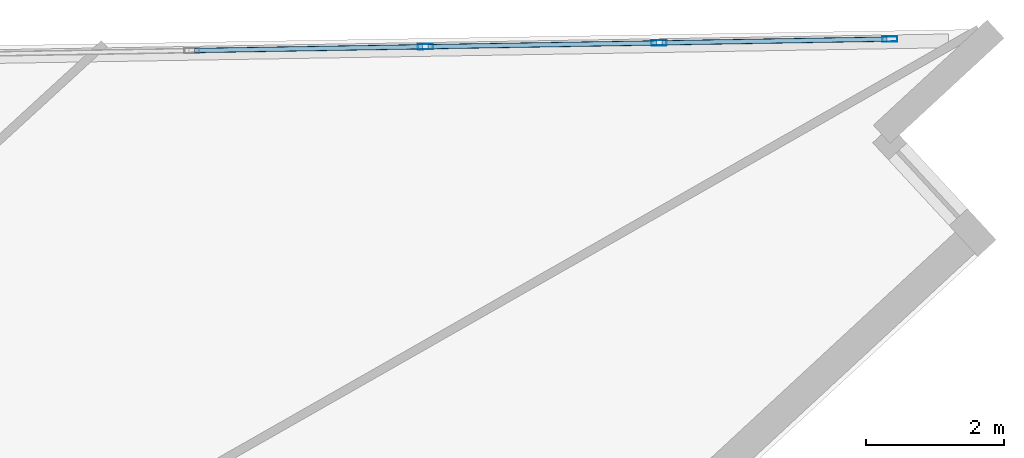
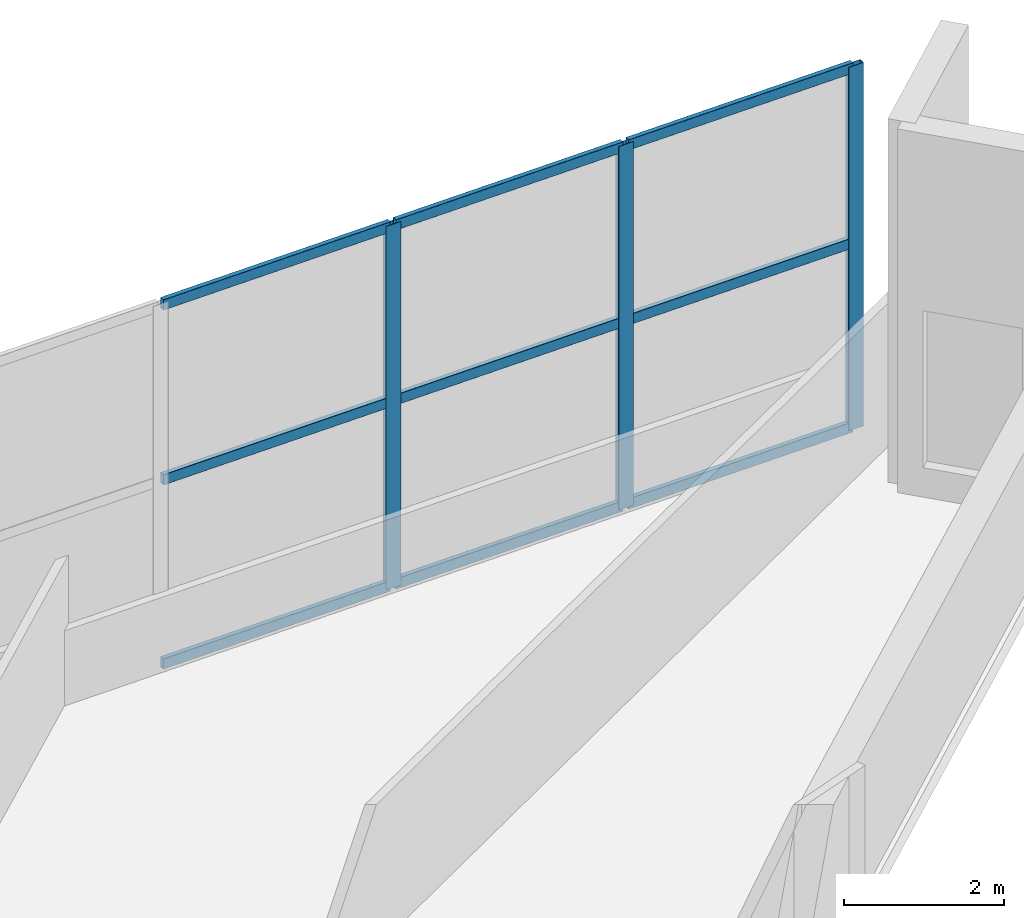
# One storey, part 7 of 15: 12 members, 1 element without a shape of its own.
"""IFC4 building model written with IfcOpenShell, lengths in metres."""

from ifc_helpers import new_model, si_unit, direction, frame, origin, origin_2d, place, context, subcontext, project, spatial, hollow_rectangle, extrude, material, material_profile, profile_set, type_object, element, aggregate, save


model = new_model("IFC4")

# Units and contexts
model_context = context("Model", 3, precision=1e-05, world=origin(), true_north=direction((0.0, 1.0)))
body_context = subcontext(model_context, "Body", "Model", "MODEL_VIEW")
ifc_project = project(units=[si_unit("LENGTHUNIT", "METRE"), si_unit("AREAUNIT", "SQUARE_METRE"), si_unit("VOLUMEUNIT", "CUBIC_METRE"), si_unit("PLANEANGLEUNIT", "RADIAN"), si_unit("MASSUNIT", "GRAM", prefix="KILO")], contexts=[model_context])

# Site, building, storey
site_placement = place(None, origin())
site = spatial("IfcSite", under=ifc_project, at=site_placement, CompositionType="ELEMENT")
building_placement = place(site_placement, origin())
building = spatial("IfcBuilding", under=site, at=building_placement, Name="Narakoshi Arena Tower", CompositionType="ELEMENT")
storey_placement = place(building_placement, frame((0.0, 0.0, 292.419921875)))
storey = spatial("IfcBuildingStorey", under=building, at=storey_placement, Name="L80", CompositionType="ELEMENT", Elevation=292.419921875)

# Curtain wall, members
ifc_material_1 = material(Name="Clear low-iron laminated structural glass", Category="glass")
curtain_wall_type = type_object("IfcCurtainWallType", Name="CW-OBS-TMD", PredefinedType="NOTDEFINED", material=ifc_material_1)
curtain_wall_placement = place(storey_placement, origin())
curtain_wall = element("IfcCurtainWall", 1, at=curtain_wall_placement, inside=storey, type_object=curtain_wall_type, Name="L80 Folded Hypotenuse Curtain Wall 1-1", PredefinedType="NOTDEFINED")
ifc_material_2 = material(Name="Anodised bronze aluminium 6063-T6", Category="aluminium")
ifc_material_profile_1 = material_profile(ifc_material_2, hollow_rectangle(XDim=0.080078125, YDim=0.219970703125, WallThickness=0.0048828125, OuterFilletRadius=0.006103515625, at=origin_2d()), Name="MUL220x80x5")
ifc_profile_set_1 = profile_set([ifc_material_profile_1], Name="Anodised bronze aluminium 6063-T6")
member_type_1 = type_object("IfcMemberType", Name="MEM-MUL-220", PredefinedType="MULLION", material=ifc_profile_set_1)
member_1_placement = place(storey_placement, frame((110.4189453125, 64.11767578125, 0.0), z_axis=(0.0, 0.0, 1.0), x_axis=(0.016444781281, -0.999864775441, 0.0)))
member_1 = element("IfcMember", 2, at=member_1_placement, type_object=member_type_1, Name="CW-05 mullion 1", PredefinedType="MULLION", context=body_context, shape_type="SweptSolid", body=[
    extrude(hollow_rectangle(XDim=0.080078125, YDim=0.219970703125, WallThickness=0.0048828125, OuterFilletRadius=0.006103515625, at=origin_2d()), origin(), (0.0, 0.0, 1.0), 5.56005859375),
])
member_2_placement = place(storey_placement, frame((107.0615234375, 64.0625, 0.0), z_axis=(0.0, 0.0, 1.0), x_axis=(0.016444781281, -0.999864775441, 0.0)))
member_2 = element("IfcMember", 3, at=member_2_placement, type_object=member_type_1, Name="CW-05 mullion 2", PredefinedType="MULLION", context=body_context, shape_type="SweptSolid", body=[
    extrude(hollow_rectangle(XDim=0.080078125, YDim=0.219970703125, WallThickness=0.0048828125, OuterFilletRadius=0.006103515625, at=origin_2d()), origin(), (0.0, 0.0, 1.0), 5.56005859375),
])
member_3_placement = place(storey_placement, frame((103.664306640625, 64.006591796875, 0.0), z_axis=(0.0, 0.0, 1.0), x_axis=(0.016444781281, -0.999864775441, 0.0)))
member_3 = element("IfcMember", 4, at=member_3_placement, type_object=member_type_1, Name="CW-05 mullion 3", PredefinedType="MULLION", context=body_context, shape_type="SweptSolid", body=[
    extrude(hollow_rectangle(XDim=0.080078125, YDim=0.219970703125, WallThickness=0.0048828125, OuterFilletRadius=0.006103515625, at=origin_2d()), origin(), (0.0, 0.0, 1.0), 5.56005859375),
])
ifc_material_profile_2 = material_profile(ifc_material_2, hollow_rectangle(XDim=0.070068359375, YDim=0.159912109375, WallThickness=0.00390625, OuterFilletRadius=0.0048828125, at=origin_2d()), Name="TRN160x70x4")
ifc_profile_set_2 = profile_set([ifc_material_profile_2], Name="Anodised bronze aluminium 6063-T6")
member_type_2 = type_object("IfcMemberType", Name="MEM-TRN-160", PredefinedType="USERDEFINED", material=ifc_profile_set_2)
member_4_placement = place(storey_placement, frame((110.37890625, 64.1171875, 0.03515625), z_axis=(-0.999864511512, -0.016460820698, 0.0), x_axis=(0.016460820698, -0.999864511512, 0.0)))
member_4 = element("IfcMember", 5, at=member_4_placement, type_object=member_type_2, Name="CW-05 transom 1.1", ObjectType="TRANSOM", PredefinedType="USERDEFINED", context=body_context, shape_type="SweptSolid", body=[
    extrude(hollow_rectangle(XDim=0.070068359375, YDim=0.159912109375, WallThickness=0.00390625, OuterFilletRadius=0.0048828125, at=origin_2d()), origin(), (0.0, 0.0, 1.0), 3.27783203125),
])
member_5_placement = place(storey_placement, frame((110.37890625, 64.1171875, 2.85009765625), z_axis=(-0.999864511512, -0.016460820698, 0.0), x_axis=(0.016460820698, -0.999864511512, 0.0)))
member_5 = element("IfcMember", 6, at=member_5_placement, type_object=member_type_2, Name="CW-05 transom 1.2", ObjectType="TRANSOM", PredefinedType="USERDEFINED", context=body_context, shape_type="SweptSolid", body=[
    extrude(hollow_rectangle(XDim=0.070068359375, YDim=0.159912109375, WallThickness=0.00390625, OuterFilletRadius=0.0048828125, at=origin_2d()), origin(), (0.0, 0.0, 1.0), 3.27783203125),
])
member_6_placement = place(storey_placement, frame((110.37890625, 64.1171875, 5.525146484375), z_axis=(-0.999864511512, -0.016460820698, 0.0), x_axis=(0.016460820698, -0.999864511512, 0.0)))
member_6 = element("IfcMember", 7, at=member_6_placement, type_object=member_type_2, Name="CW-05 transom 1.3", ObjectType="TRANSOM", PredefinedType="USERDEFINED", context=body_context, shape_type="SweptSolid", body=[
    extrude(hollow_rectangle(XDim=0.070068359375, YDim=0.159912109375, WallThickness=0.00390625, OuterFilletRadius=0.0048828125, at=origin_2d()), origin(), (0.0, 0.0, 1.0), 3.27783203125),
])
member_7_placement = place(storey_placement, frame((107.021728515625, 64.061767578125, 0.03515625), z_axis=(-0.999865357882, -0.016409329909, 0.0), x_axis=(0.016409329909, -0.999865357882, 0.0)))
member_7 = element("IfcMember", 8, at=member_7_placement, type_object=member_type_2, Name="CW-05 transom 2.1", ObjectType="TRANSOM", PredefinedType="USERDEFINED", context=body_context, shape_type="SweptSolid", body=[
    extrude(hollow_rectangle(XDim=0.070068359375, YDim=0.159912109375, WallThickness=0.00390625, OuterFilletRadius=0.0048828125, at=origin_2d()), origin(), (0.0, 0.0, 1.0), 3.31787109375),
])
member_8_placement = place(storey_placement, frame((107.021728515625, 64.061767578125, 2.85009765625), z_axis=(-0.999865357882, -0.016409329909, 0.0), x_axis=(0.016409329909, -0.999865357882, 0.0)))
member_8 = element("IfcMember", 9, at=member_8_placement, type_object=member_type_2, Name="CW-05 transom 2.2", ObjectType="TRANSOM", PredefinedType="USERDEFINED", context=body_context, shape_type="SweptSolid", body=[
    extrude(hollow_rectangle(XDim=0.070068359375, YDim=0.159912109375, WallThickness=0.00390625, OuterFilletRadius=0.0048828125, at=origin_2d()), origin(), (0.0, 0.0, 1.0), 3.31787109375),
])
member_9_placement = place(storey_placement, frame((107.021728515625, 64.061767578125, 5.525146484375), z_axis=(-0.999865357882, -0.016409329909, 0.0), x_axis=(0.016409329909, -0.999865357882, 0.0)))
member_9 = element("IfcMember", 10, at=member_9_placement, type_object=member_type_2, Name="CW-05 transom 2.3", ObjectType="TRANSOM", PredefinedType="USERDEFINED", context=body_context, shape_type="SweptSolid", body=[
    extrude(hollow_rectangle(XDim=0.070068359375, YDim=0.159912109375, WallThickness=0.00390625, OuterFilletRadius=0.0048828125, at=origin_2d()), origin(), (0.0, 0.0, 1.0), 3.31787109375),
])
member_10_placement = place(storey_placement, frame((103.624267578125, 64.006103515625, 0.03515625), z_axis=(-0.999864127874, -0.016484107209, 0.0), x_axis=(0.016484107209, -0.999864127874, 0.0)))
member_10 = element("IfcMember", 11, at=member_10_placement, type_object=member_type_2, Name="CW-05 transom 3.1", ObjectType="TRANSOM", PredefinedType="USERDEFINED", context=body_context, shape_type="SweptSolid", body=[
    extrude(hollow_rectangle(XDim=0.070068359375, YDim=0.159912109375, WallThickness=0.00390625, OuterFilletRadius=0.0048828125, at=origin_2d()), origin(), (0.0, 0.0, 1.0), 3.317626953125),
])
member_11_placement = place(storey_placement, frame((103.624267578125, 64.006103515625, 2.85009765625), z_axis=(-0.999864127874, -0.016484107209, 0.0), x_axis=(0.016484107209, -0.999864127874, 0.0)))
member_11 = element("IfcMember", 12, at=member_11_placement, type_object=member_type_2, Name="CW-05 transom 3.2", ObjectType="TRANSOM", PredefinedType="USERDEFINED", context=body_context, shape_type="SweptSolid", body=[
    extrude(hollow_rectangle(XDim=0.070068359375, YDim=0.159912109375, WallThickness=0.00390625, OuterFilletRadius=0.0048828125, at=origin_2d()), origin(), (0.0, 0.0, 1.0), 3.317626953125),
])
member_12_placement = place(storey_placement, frame((103.624267578125, 64.006103515625, 5.525146484375), z_axis=(-0.999864127874, -0.016484107209, 0.0), x_axis=(0.016484107209, -0.999864127874, 0.0)))
member_12 = element("IfcMember", 13, at=member_12_placement, type_object=member_type_2, Name="CW-05 transom 3.3", ObjectType="TRANSOM", PredefinedType="USERDEFINED", context=body_context, shape_type="SweptSolid", body=[
    extrude(hollow_rectangle(XDim=0.070068359375, YDim=0.159912109375, WallThickness=0.00390625, OuterFilletRadius=0.0048828125, at=origin_2d()), origin(), (0.0, 0.0, 1.0), 3.317626953125),
])
aggregate(curtain_wall, [member_1, member_2, member_3, member_4, member_5, member_6, member_7, member_8, member_9, member_10, member_11, member_12])

save(model, "model.ifc")
